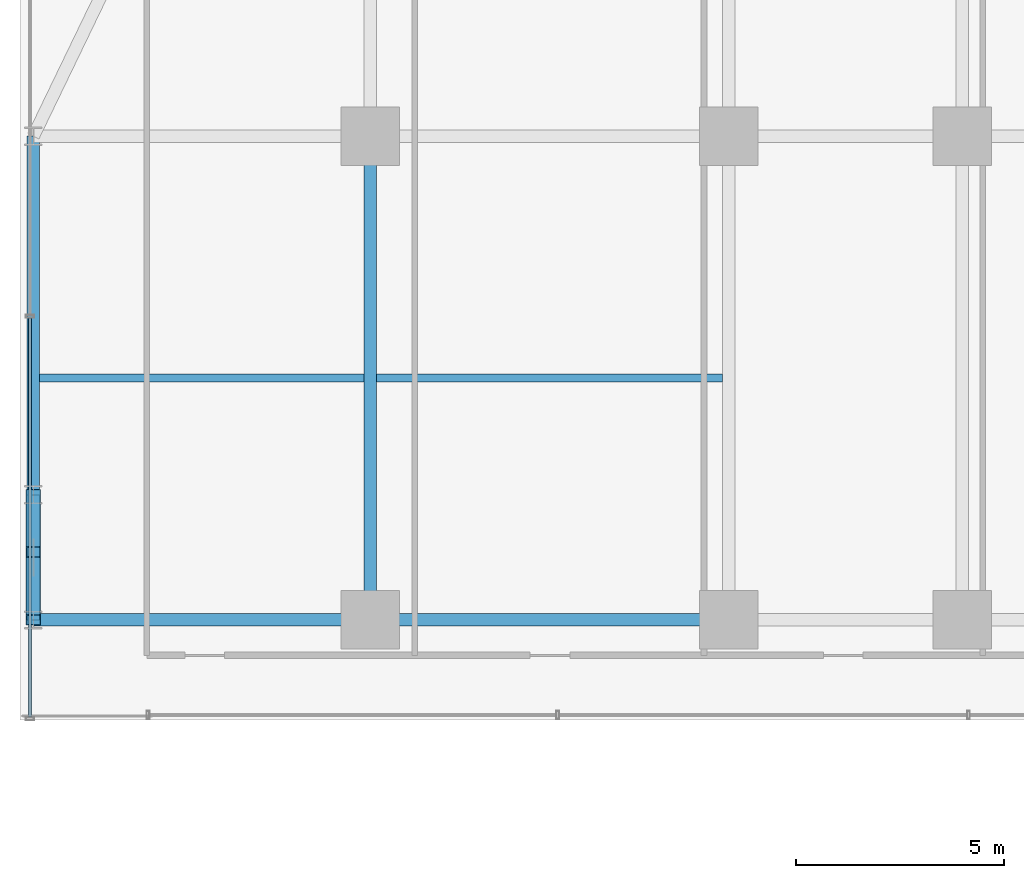
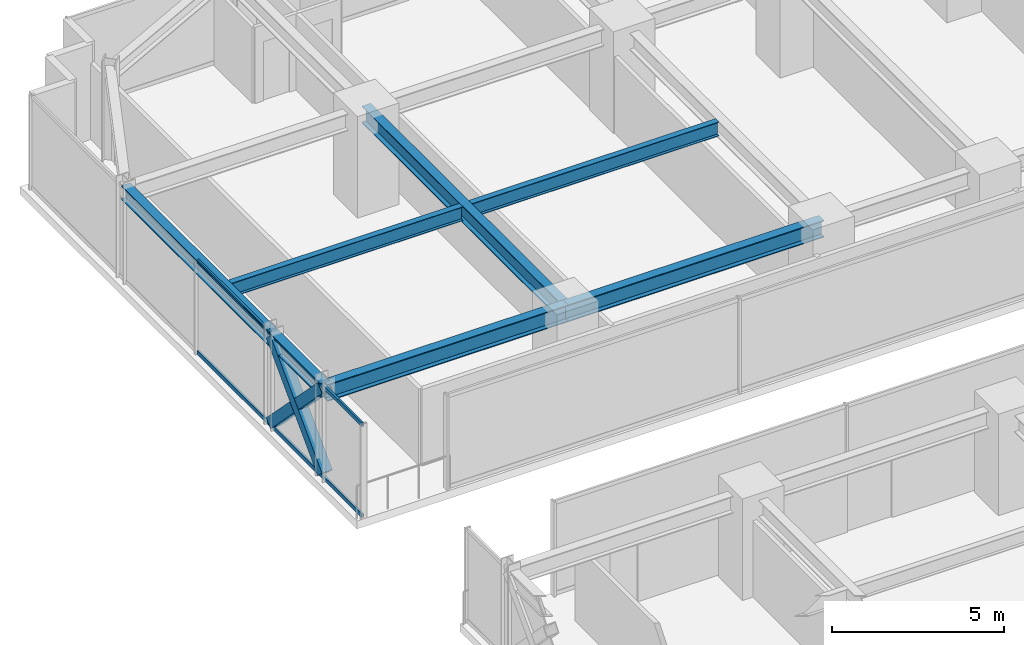
# One storey, part 18 of 35: 7 beams, 5 members, 1 element without a shape of its own.
"""IFC4 building model written with IfcOpenShell, lengths in metres."""

from ifc_helpers import new_model, si_unit, direction, frame, origin, origin_2d, place, context, subcontext, project, spatial, hollow_rectangle, i_section, extrude, source, transform, mapped, material, material_profile, profile_set, type_object, element, aggregate, save


model = new_model("IFC4")

# Units and contexts
model_context = context("Model", 3, precision=1e-05, world=origin(), true_north=direction((0.0, 1.0)))
body_context = subcontext(model_context, "Body", "Model", "MODEL_VIEW")
ifc_project = project(units=[si_unit("LENGTHUNIT", "METRE"), si_unit("AREAUNIT", "SQUARE_METRE"), si_unit("VOLUMEUNIT", "CUBIC_METRE"), si_unit("PLANEANGLEUNIT", "RADIAN"), si_unit("MASSUNIT", "GRAM", prefix="KILO")], contexts=[model_context])

# Site, building, storey
site_placement = place(None, origin())
site = spatial("IfcSite", under=ifc_project, at=site_placement, CompositionType="ELEMENT")
building_placement = place(site_placement, origin())
building = spatial("IfcBuilding", under=site, at=building_placement, Name="Nahalor Promenade Grand Hotel", CompositionType="ELEMENT")
storey_placement = place(building_placement, frame((0.0, 0.0, 43.35009765625)))
storey = spatial("IfcBuildingStorey", under=building, at=storey_placement, Name="L09", CompositionType="ELEMENT", Elevation=43.35009765625)

# Beams
ifc_material_1 = material(Name="Steel S355JR", Category="steel")
ifc_material_profile_1 = material_profile(ifc_material_1, i_section(OverallWidth=0.3, OverallDepth=0.6, WebThickness=0.0155, FlangeThickness=0.03, at=origin_2d()), Name="HEB 600")
ifc_profile_set_1 = profile_set([ifc_material_profile_1], Name="Steel S355JR")
beam_type_1 = type_object("IfcBeamType", Name="Beam-Girder-HEB600", PredefinedType="BEAM", material=ifc_profile_set_1)
shared_shape_1 = source(origin(), body_context, "Body", "SweptSolid", [
    extrude(i_section(OverallWidth=0.3, OverallDepth=0.6, WebThickness=0.0155, FlangeThickness=0.03, at=origin_2d()), origin(), (0.0, 0.0, 1.0), 8.60009765625),
])
beam_1_placement = place(storey_placement, frame((-17.0, 5.39990234375, 3.06982421875), z_axis=(1.0, 0.0, 0.0), x_axis=(0.0, 1.0, 0.0)))
element("IfcBeam", 1, at=beam_1_placement, inside=storey, type_object=beam_type_1, Name="BM-L09-GX-2-1", PredefinedType="BEAM", context=body_context, shape_type="MappedRepresentation", body=[
    mapped(shared_shape_1, transform((0.0, 0.0, 0.0), scale=1.0)),
])
shared_shape_2 = source(origin(), body_context, "Body", "SweptSolid", [
    extrude(i_section(OverallWidth=0.3, OverallDepth=0.6, WebThickness=0.0155, FlangeThickness=0.03, at=origin_2d()), origin(), (0.0, 0.0, 1.0), 11.60009765625),
])
beam_2_placement = place(storey_placement, frame((-17.0, 5.39990234375, 3.06982421875), z_axis=(0.0, 1.0, 0.0), x_axis=(-1.0, 0.0, 0.0)))
element("IfcBeam", 2, at=beam_2_placement, inside=storey, type_object=beam_type_1, Name="BM-L09-GY-0-3", PredefinedType="BEAM", context=body_context, shape_type="MappedRepresentation", body=[
    mapped(shared_shape_2, transform((0.0, 0.0, 0.0), scale=1.0)),
])
ifc_material_profile_2 = material_profile(ifc_material_1, i_section(OverallWidth=0.3, OverallDepth=0.5, WebThickness=0.0145, FlangeThickness=0.028, at=origin_2d()), Name="HEB 500")
ifc_profile_set_2 = profile_set([ifc_material_profile_2], Name="Steel S355JR")
beam_type_2 = type_object("IfcBeamType", Name="Beam-Spandrel-HEB500", PredefinedType="SPANDREL", material=ifc_profile_set_2)
shared_shape_3 = source(origin(), body_context, "Body", "SweptSolid", [
    extrude(i_section(OverallWidth=0.3, OverallDepth=0.5, WebThickness=0.0145, FlangeThickness=0.028, at=origin_2d()), origin(), (0.0, 0.0, 1.0), 8.60009765625),
])
beam_3_placement = place(storey_placement, frame((-25.080078125, 8.39990234375, 3.119873046875), z_axis=(0.0, 1.0, 0.0), x_axis=(-1.0, 0.0, 0.0)))
element("IfcBeam", 3, at=beam_3_placement, inside=storey, type_object=beam_type_2, Name="BM-L09-SP-W-4", PredefinedType="SPANDREL", context=body_context, shape_type="MappedRepresentation", body=[
    mapped(shared_shape_3, transform((0.0, 0.0, 0.0), scale=1.0)),
])
shared_shape_4 = source(origin(), body_context, "Body", "SweptSolid", [
    extrude(i_section(OverallWidth=0.3, OverallDepth=0.5, WebThickness=0.0145, FlangeThickness=0.028, at=origin_2d()), origin(), (0.0, 0.0, 1.0), 3.0),
])
beam_4_placement = place(storey_placement, frame((-25.080078125, 5.39990234375, 3.119873046875), z_axis=(0.0, 1.0, 0.0), x_axis=(-1.0, 0.0, 0.0)))
element("IfcBeam", 4, at=beam_4_placement, inside=storey, type_object=beam_type_2, Name="BM-L09-SP-W-3", PredefinedType="SPANDREL", context=body_context, shape_type="MappedRepresentation", body=[
    mapped(shared_shape_4, transform((0.0, 0.0, 0.0), scale=1.0)),
])
ifc_material_profile_3 = material_profile(ifc_material_1, i_section(OverallWidth=0.2, OverallDepth=0.5, WebThickness=0.0102, FlangeThickness=0.016, at=origin_2d()), Name="IPE 500")
ifc_profile_set_3 = profile_set([ifc_material_profile_3], Name="Steel S355JR")
beam_type_3 = type_object("IfcBeamType", Name="Beam-Joist-IPE500", PredefinedType="JOIST", material=ifc_profile_set_3)
shared_shape_5 = source(origin(), body_context, "Body", "SweptSolid", [
    extrude(i_section(OverallWidth=0.2, OverallDepth=0.5, WebThickness=0.0102, FlangeThickness=0.016, at=origin_2d()), origin(), (0.0, 0.0, 1.0), 8.300048828125),
])
beam_5_placement = place(storey_placement, frame((-16.85009765625, 11.199951171875, 3.119873046875), z_axis=(1.0, 0.0, 0.0), x_axis=(0.0, 1.0, 0.0)))
element("IfcBeam", 5, at=beam_5_placement, inside=storey, type_object=beam_type_3, Name="BM-L09-JSW-1-1", PredefinedType="JOIST", context=body_context, shape_type="MappedRepresentation", body=[
    mapped(shared_shape_5, transform((0.0, 0.0, 0.0), scale=1.0)),
])
shared_shape_6 = source(origin(), body_context, "Body", "SweptSolid", [
    extrude(i_section(OverallWidth=0.3, OverallDepth=0.6, WebThickness=0.0155, FlangeThickness=0.03, at=origin_2d()), origin(), (0.0, 0.0, 1.0), 8.080078125),
])
beam_6_placement = place(storey_placement, frame((-25.080078125, 5.39990234375, 3.06982421875), z_axis=(1.0, 0.0, 0.0), x_axis=(0.0, 1.0, 0.0)))
element("IfcBeam", 6, at=beam_6_placement, inside=storey, type_object=beam_type_1, Name="BM-L09-GX-2-0", PredefinedType="BEAM", context=body_context, shape_type="MappedRepresentation", body=[
    mapped(shared_shape_6, transform((0.0, 0.0, 0.0), scale=1.0)),
])
shared_shape_7 = source(origin(), body_context, "Body", "SweptSolid", [
    extrude(i_section(OverallWidth=0.2, OverallDepth=0.5, WebThickness=0.0102, FlangeThickness=0.016, at=origin_2d()), origin(), (0.0, 0.0, 1.0), 7.780029296875),
])
beam_7_placement = place(storey_placement, frame((-24.929931640625, 11.199951171875, 3.119873046875), z_axis=(1.0, 0.0, 0.0), x_axis=(0.0, 1.0, 0.0)))
element("IfcBeam", 7, at=beam_7_placement, inside=storey, type_object=beam_type_3, Name="BM-L09-JSW-1-0", PredefinedType="JOIST", context=body_context, shape_type="MappedRepresentation", body=[
    mapped(shared_shape_7, transform((0.0, 0.0, 0.0), scale=1.0)),
])

# Members
ifc_material_profile_4 = material_profile(ifc_material_1, hollow_rectangle(XDim=0.35, YDim=0.35, WallThickness=0.02, at=origin_2d()), Name="SHS 350x350x20")
ifc_profile_set_4 = profile_set([ifc_material_profile_4], Name="Steel S355JR")
member_type_1 = type_object("IfcMemberType", Name="Mem-VoidBrace-SHS350", PredefinedType="BRACE", material=ifc_profile_set_4)
shared_shape_8 = source(origin(), body_context, "Body", "SweptSolid", [
    extrude(hollow_rectangle(XDim=0.35, YDim=0.35, WallThickness=0.02, at=origin_2d()), origin(), (0.0, 0.0, 1.0), 4.29248046875),
])
member_1_placement = place(storey_placement, frame((-25.080078125, 5.39990234375, 0.14990234375), z_axis=(0.0, 0.698897904453, 0.715221447631), x_axis=(-1.0, 0.0, 0.0)))
element("IfcMember", 8, at=member_1_placement, inside=storey, type_object=member_type_1, Name="EXO-L09-VX1-W1", PredefinedType="BRACE", context=body_context, shape_type="MappedRepresentation", body=[
    mapped(shared_shape_8, transform((0.0, 0.0, 0.0), scale=1.0)),
])
shared_shape_9 = source(origin(), body_context, "Body", "SweptSolid", [
    extrude(hollow_rectangle(XDim=0.35, YDim=0.35, WallThickness=0.02, at=origin_2d()), origin(), (0.0, 0.0, 1.0), 1.959228515625),
])
member_2_placement = place(storey_placement, frame((-25.080078125, 6.769287109375, 1.818603515625), z_axis=(0.0, -0.698898183234, 0.715221175212), x_axis=(1.0, 0.0, 0.0)))
element("IfcMember", 9, at=member_2_placement, inside=storey, type_object=member_type_1, Name="EXO-L09-VX2-W1B", PredefinedType="BRACE", context=body_context, shape_type="MappedRepresentation", body=[
    mapped(shared_shape_9, transform((0.0, 0.0, 0.0), scale=1.0)),
])
shared_shape_10 = source(origin(), body_context, "Body", "SweptSolid", [
    extrude(hollow_rectangle(XDim=0.35, YDim=0.35, WallThickness=0.02, at=origin_2d()), origin(), (0.0, 0.0, 1.0), 1.958984375),
])
member_3_placement = place(storey_placement, frame((-25.080078125, 8.39990234375, 0.14990234375), z_axis=(0.0, -0.698896728293, 0.715222596946), x_axis=(1.0, 0.0, 0.0)))
element("IfcMember", 10, at=member_3_placement, inside=storey, type_object=member_type_1, Name="EXO-L09-VX2-W1A", PredefinedType="BRACE", context=body_context, shape_type="MappedRepresentation", body=[
    mapped(shared_shape_10, transform((0.0, 0.0, 0.0), scale=1.0)),
])

# Curtain wall, members
ifc_material_2 = material(Name="Anodised Bronze Aluminium EN AW-6063 T6", Category="aluminium")
curtain_wall_type = type_object("IfcCurtainWallType", Name="CW3 Elliptical-Void Collar Unitised Curtain Wall", PredefinedType="USERDEFINED", material=ifc_material_2)
curtain_wall_placement = place(storey_placement, origin())
curtain_wall = element("IfcCurtainWall", 11, at=curtain_wall_placement, inside=storey, type_object=curtain_wall_type, Name="L09 Curtain Wall CW-L09-W-2", ObjectType="UNITISED_CURTAIN_WALL", PredefinedType="USERDEFINED")
ifc_material_profile_5 = material_profile(ifc_material_2, hollow_rectangle(XDim=0.07, YDim=0.14, WallThickness=0.004, at=origin_2d()), Name="CWT 70x140x4")
ifc_profile_set_5 = profile_set([ifc_material_profile_5], Name="Anodised Bronze Aluminium EN AW-6063 T6")
member_type_2 = type_object("IfcMemberType", Name="CWT3 Void Collar Transom 70x140", PredefinedType="USERDEFINED", material=ifc_profile_set_5)
shared_shape_11 = source(origin(), body_context, "Body", "SweptSolid", [
    extrude(hollow_rectangle(XDim=0.07, YDim=0.14, WallThickness=0.004, at=origin_2d()), origin(), (0.0, 0.0, 1.0), 9.575439453125),
])
member_4_placement = place(storey_placement, frame((-25.159912109375, 3.069091796875, 0.06982421875), z_axis=(0.0, 1.0, 0.0), x_axis=(-1.0, 0.0, 0.0)))
member_4 = element("IfcMember", 12, at=member_4_placement, type_object=member_type_2, Name="CW-L09-W-2 Transom 0-0", ObjectType="TRANSOM", PredefinedType="USERDEFINED", context=body_context, shape_type="MappedRepresentation", body=[
    mapped(shared_shape_11, transform((0.0, 0.0, 0.0), scale=1.0)),
])
member_5_placement = place(storey_placement, frame((-25.159912109375, 3.069091796875, 3.2998046875), z_axis=(0.0, 1.0, 0.0), x_axis=(-1.0, 0.0, 0.0)))
member_5 = element("IfcMember", 13, at=member_5_placement, type_object=member_type_2, Name="CW-L09-W-2 Transom 0-1", ObjectType="TRANSOM", PredefinedType="USERDEFINED", context=body_context, shape_type="MappedRepresentation", body=[
    mapped(shared_shape_11, transform((0.0, 0.0, 0.0), scale=1.0)),
])
aggregate(curtain_wall, [member_4, member_5])

save(model, "model.ifc")
